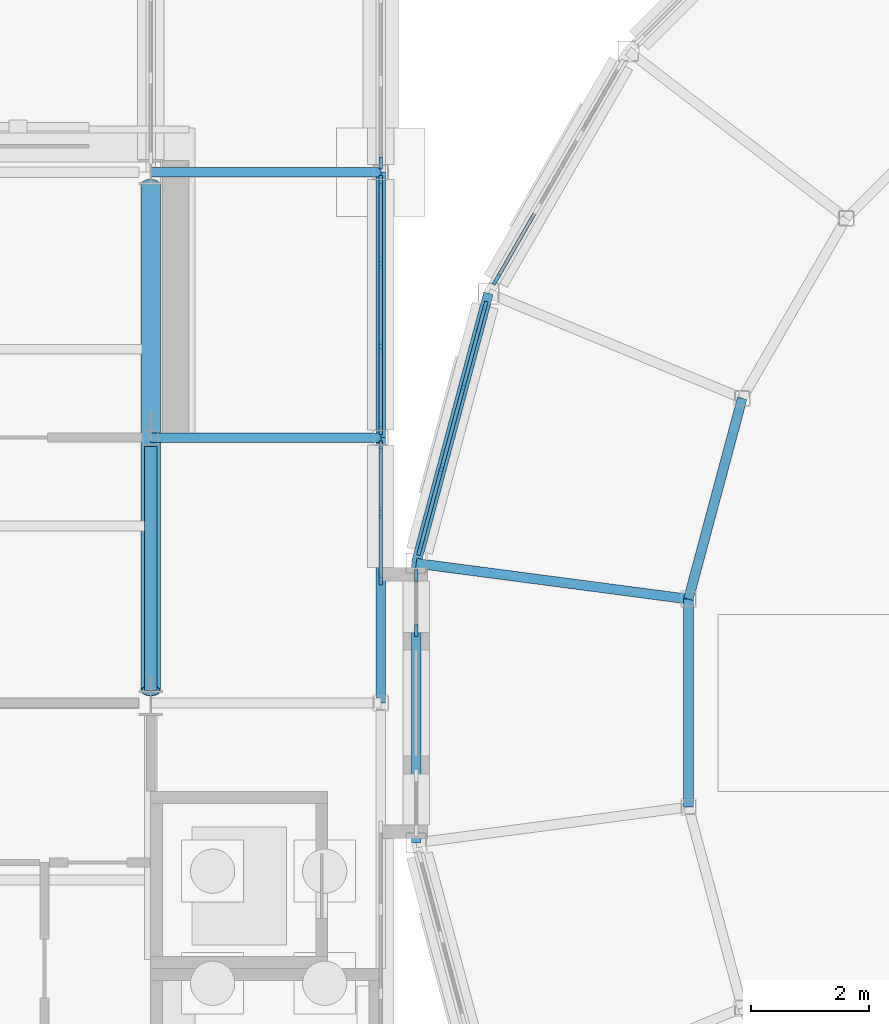
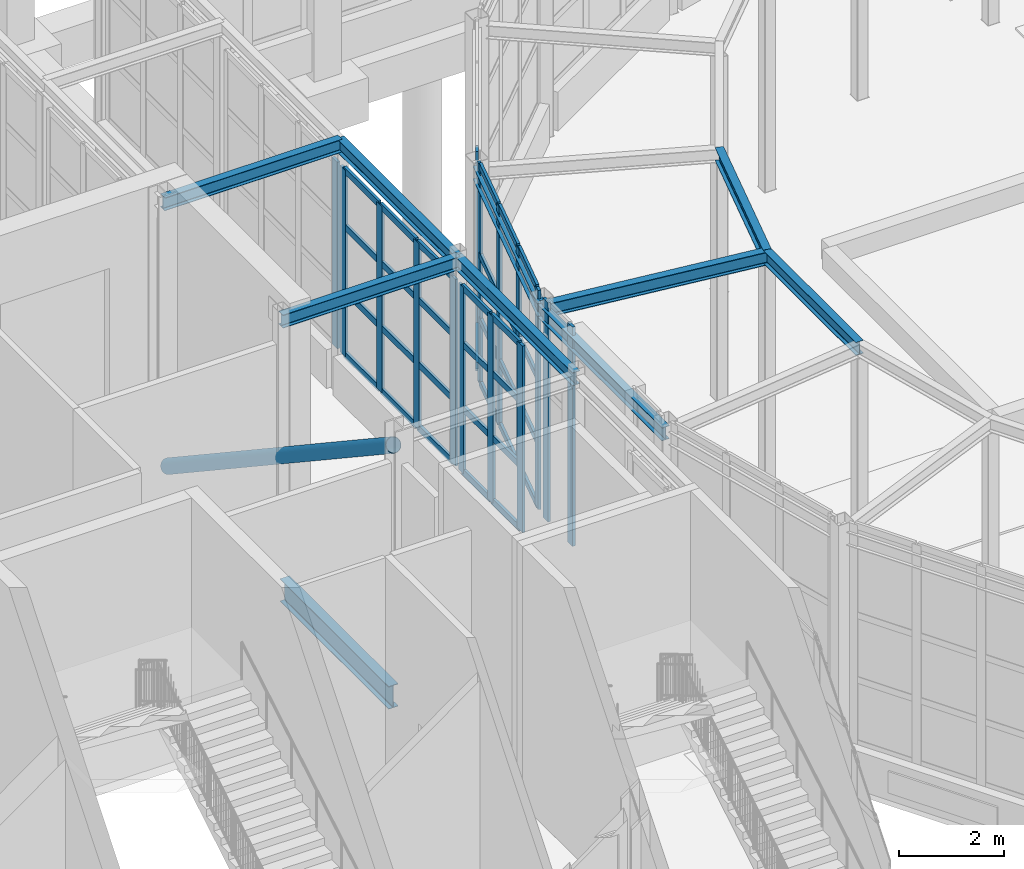
# One storey, part 30 of 106: 49 members, 10 beams, 6 elements without a shape of their own.
"""IFC4 building model written with IfcOpenShell, lengths in metres."""

from ifc_helpers import new_model, si_unit, direction, frame, origin, origin_2d, place, context, subcontext, project, spatial, rectangle, hollow_circle, i_section, extrude, material, layer, layer_set, material_profile, profile_set, type_object, element, aggregate, save


model = new_model("IFC4")

# Units and contexts
model_context = context("Model", 3, precision=1e-05, world=origin(), true_north=direction((0.0, 1.0)))
body_context = subcontext(model_context, "Body", "Model", "MODEL_VIEW")
ifc_project = project(units=[si_unit("LENGTHUNIT", "METRE"), si_unit("AREAUNIT", "SQUARE_METRE"), si_unit("VOLUMEUNIT", "CUBIC_METRE"), si_unit("PLANEANGLEUNIT", "RADIAN"), si_unit("MASSUNIT", "GRAM", prefix="KILO")], contexts=[model_context])

# Site, building, storey
site_placement = place(None, origin())
site = spatial("IfcSite", under=ifc_project, at=site_placement, CompositionType="ELEMENT")
building_placement = place(site_placement, origin())
building = spatial("IfcBuilding", under=site, at=building_placement, Name="Hortulan Conservatory and Botanical Research Centre", CompositionType="ELEMENT")
storey_placement = place(building_placement, origin())
storey = spatial("IfcBuildingStorey", under=building, at=storey_placement, Name="L00", CompositionType="ELEMENT", Elevation=0.0)

# Member
ifc_material_1 = material(Name="Steel Grade C350L0 (350 MPa, AS/NZS 1163)", Category="steel")
ifc_material_profile_1 = material_profile(ifc_material_1, hollow_circle(Radius=0.161865234375, WallThickness=0.009521484375, at=origin_2d()), Name="323.9x9.5CHS")
ifc_profile_set_1 = profile_set([ifc_material_profile_1], Name="Steel Grade C350L0 (350 MPa, AS/NZS 1163)")
member_type_1 = type_object("IfcMemberType", Name="Brace 323.9x9.5CHS", PredefinedType="BRACE", material=ifc_profile_set_1)
member_1_placement = place(storey_placement, frame((31.5, 26.7890625, -0.309814453125), z_axis=(0.0, -0.833055664208, 0.553189172282), x_axis=(1.0, 0.0, 0.0)))
element("IfcMember", 1, at=member_1_placement, inside=storey, type_object=member_type_1, Name="323.9x9.5CHS brace", PredefinedType="BRACE", context=body_context, shape_type="SweptSolid", body=[
    extrude(hollow_circle(Radius=0.161865234375, WallThickness=0.009521484375, at=origin_2d()), origin(), (0.0, 0.0, 1.0), 10.297119140625),
])

# Curtain wall, member
ifc_material_2 = material(Name="Bronze-finished aluminium", Category="aluminium")
ifc_layer = layer(ifc_material_2, 0.10009765625)
ifc_layer_set = layer_set([ifc_layer], Name="Bronze-framed Curtain Wall 1500 module")
curtain_wall_type = type_object("IfcCurtainWallType", Name="Bronze-framed Curtain Wall 1500 module", PredefinedType="NOTDEFINED", material=ifc_layer_set)
curtain_wall_1_placement = place(storey_placement, origin())
curtain_wall_1 = element("IfcCurtainWall", 2, at=curtain_wall_1_placement, inside=storey, type_object=curtain_wall_type, Name="Curtain wall", PredefinedType="NOTDEFINED")
ifc_material_profile_2 = material_profile(ifc_material_2, rectangle(XDim=0.06005859375, YDim=0.199951171875, at=origin_2d()), Name="Bronze Mullion 60x200")
ifc_profile_set_2 = profile_set([ifc_material_profile_2], Name="Bronze-finished aluminium")
member_type_2 = type_object("IfcMemberType", Name="Bronze Mullion 60x200", PredefinedType="MULLION", material=ifc_profile_set_2)
member_2_placement = place(storey_placement, frame((37.361328125, 25.18115234375, 0.89990234375), z_axis=(0.0, 0.0, 1.0), x_axis=(-0.866036280655, 0.499981160235, 0.0)))
member_2 = element("IfcMember", 3, at=member_2_placement, type_object=member_type_2, Name="CW1 mullion 1", PredefinedType="MULLION", context=body_context, shape_type="SweptSolid", body=[
    extrude(rectangle(XDim=0.06005859375, YDim=0.199951171875, at=origin_2d()), origin(), (0.0, 0.0, 1.0), 5.10009765625),
])

# Curtain wall, members
curtain_wall_2_placement = place(storey_placement, origin())
curtain_wall_2 = element("IfcCurtainWall", 4, at=curtain_wall_2_placement, inside=storey, type_object=curtain_wall_type, Name="Curtain wall", PredefinedType="NOTDEFINED")
member_3_placement = place(storey_placement, frame((36.063232421875, 20.60595703125, 0.89990234375), z_axis=(0.0, 0.0, 1.0), x_axis=(-0.965922372015, 0.258831936284, 0.0)))
member_3 = element("IfcMember", 5, at=member_3_placement, type_object=member_type_2, Name="CW1 mullion 1", PredefinedType="MULLION", context=body_context, shape_type="SweptSolid", body=[
    extrude(rectangle(XDim=0.06005859375, YDim=0.199951171875, at=origin_2d()), origin(), (0.0, 0.0, 1.0), 5.10009765625),
])
member_4_placement = place(storey_placement, frame((36.427490234375, 21.965087890625, 0.89990234375), z_axis=(0.0, 0.0, 1.0), x_axis=(-0.965922372015, 0.258831936284, 0.0)))
member_4 = element("IfcMember", 6, at=member_4_placement, type_object=member_type_2, Name="CW1 mullion 2", PredefinedType="MULLION", context=body_context, shape_type="SweptSolid", body=[
    extrude(rectangle(XDim=0.06005859375, YDim=0.199951171875, at=origin_2d()), origin(), (0.0, 0.0, 1.0), 5.10009765625),
])
member_5_placement = place(storey_placement, frame((36.79931640625, 23.35302734375, 0.89990234375), z_axis=(0.0, 0.0, 1.0), x_axis=(-0.965922372015, 0.258831936284, 0.0)))
member_5 = element("IfcMember", 7, at=member_5_placement, type_object=member_type_2, Name="CW1 mullion 3", PredefinedType="MULLION", context=body_context, shape_type="SweptSolid", body=[
    extrude(rectangle(XDim=0.06005859375, YDim=0.199951171875, at=origin_2d()), origin(), (0.0, 0.0, 1.0), 5.10009765625),
])
member_6_placement = place(storey_placement, frame((37.16357421875, 24.7119140625, 0.89990234375), z_axis=(0.0, 0.0, 1.0), x_axis=(-0.965922372015, 0.258831936284, 0.0)))
member_6 = element("IfcMember", 8, at=member_6_placement, type_object=member_type_2, Name="CW1 mullion 4", PredefinedType="MULLION", context=body_context, shape_type="SweptSolid", body=[
    extrude(rectangle(XDim=0.06005859375, YDim=0.199951171875, at=origin_2d()), origin(), (0.0, 0.0, 1.0), 5.10009765625),
])

curtain_wall_3_placement = place(storey_placement, origin())
curtain_wall_3 = element("IfcCurtainWall", 9, at=curtain_wall_3_placement, inside=storey, type_object=curtain_wall_type, Name="Curtain wall", PredefinedType="NOTDEFINED")
member_7_placement = place(storey_placement, frame((36.0, 19.22998046875, 0.89990234375), z_axis=(0.0, 0.0, 1.0), x_axis=(-1.0, 0.0, 0.0)))
member_7 = element("IfcMember", 10, at=member_7_placement, type_object=member_type_2, Name="CW1 mullion 1", PredefinedType="MULLION", context=body_context, shape_type="SweptSolid", body=[
    extrude(rectangle(XDim=0.06005859375, YDim=0.199951171875, at=origin_2d()), origin(), (0.0, 0.0, 1.0), 5.10009765625),
])
member_8_placement = place(storey_placement, frame((36.0, 20.1650390625, 0.89990234375), z_axis=(0.0, 0.0, 1.0), x_axis=(-1.0, 0.0, 0.0)))
member_8 = element("IfcMember", 11, at=member_8_placement, type_object=member_type_2, Name="CW1 mullion 2", PredefinedType="MULLION", context=body_context, shape_type="SweptSolid", body=[
    extrude(rectangle(XDim=0.06005859375, YDim=0.199951171875, at=origin_2d()), origin(), (0.0, 0.0, 1.0), 5.10009765625),
])
aggregate(curtain_wall_3, [member_7, member_8])

# Curtain wall, member
curtain_wall_4_placement = place(storey_placement, origin())
curtain_wall_4 = element("IfcCurtainWall", 12, at=curtain_wall_4_placement, inside=storey, type_object=curtain_wall_type, Name="Curtain wall", PredefinedType="NOTDEFINED")
member_9_placement = place(storey_placement, frame((35.39990234375, 27.155029296875, 0.89990234375), z_axis=(0.0, 0.0, 1.0), x_axis=(1.0, 0.0, 0.0)))
member_9 = element("IfcMember", 13, at=member_9_placement, type_object=member_type_2, Name="CW1 mullion 4", PredefinedType="MULLION", context=body_context, shape_type="SweptSolid", body=[
    extrude(rectangle(XDim=0.06005859375, YDim=0.199951171875, at=origin_2d()), origin(), (0.0, 0.0, 1.0), 4.340087890625),
])
aggregate(curtain_wall_4, [member_9])

# Curtain wall, members
curtain_wall_5_placement = place(storey_placement, origin())
curtain_wall_5 = element("IfcCurtainWall", 14, at=curtain_wall_5_placement, inside=storey, type_object=curtain_wall_type, Name="Curtain wall", PredefinedType="NOTDEFINED")
member_10_placement = place(storey_placement, frame((35.39990234375, 26.844970703125, 0.89990234375), z_axis=(0.0, 0.0, 1.0), x_axis=(1.0, 0.0, 0.0)))
member_10 = element("IfcMember", 15, at=member_10_placement, type_object=member_type_2, Name="CW1 mullion 1", PredefinedType="MULLION", context=body_context, shape_type="SweptSolid", body=[
    extrude(rectangle(XDim=0.06005859375, YDim=0.199951171875, at=origin_2d()), origin(), (0.0, 0.0, 1.0), 4.340087890625),
])
member_11_placement = place(storey_placement, frame((35.39990234375, 25.458251953125, 0.89990234375), z_axis=(0.0, 0.0, 1.0), x_axis=(1.0, 0.0, 0.0)))
member_11 = element("IfcMember", 16, at=member_11_placement, type_object=member_type_2, Name="CW1 mullion 2", PredefinedType="MULLION", context=body_context, shape_type="SweptSolid", body=[
    extrude(rectangle(XDim=0.06005859375, YDim=0.199951171875, at=origin_2d()), origin(), (0.0, 0.0, 1.0), 4.340087890625),
])
member_12_placement = place(storey_placement, frame((35.39990234375, 24.041748046875, 0.89990234375), z_axis=(0.0, 0.0, 1.0), x_axis=(1.0, 0.0, 0.0)))
member_12 = element("IfcMember", 17, at=member_12_placement, type_object=member_type_2, Name="CW1 mullion 3", PredefinedType="MULLION", context=body_context, shape_type="SweptSolid", body=[
    extrude(rectangle(XDim=0.06005859375, YDim=0.199951171875, at=origin_2d()), origin(), (0.0, 0.0, 1.0), 4.340087890625),
])
member_13_placement = place(storey_placement, frame((35.39990234375, 22.655029296875, 0.89990234375), z_axis=(0.0, 0.0, 1.0), x_axis=(1.0, 0.0, 0.0)))
member_13 = element("IfcMember", 18, at=member_13_placement, type_object=member_type_2, Name="CW1 mullion 4", PredefinedType="MULLION", context=body_context, shape_type="SweptSolid", body=[
    extrude(rectangle(XDim=0.06005859375, YDim=0.199951171875, at=origin_2d()), origin(), (0.0, 0.0, 1.0), 4.340087890625),
])

curtain_wall_6_placement = place(storey_placement, origin())
curtain_wall_6 = element("IfcCurtainWall", 19, at=curtain_wall_6_placement, inside=storey, type_object=curtain_wall_type, Name="Curtain wall", PredefinedType="NOTDEFINED")
member_14_placement = place(storey_placement, frame((35.39990234375, 22.344970703125, 0.89990234375), z_axis=(0.0, 0.0, 1.0), x_axis=(1.0, 0.0, 0.0)))
member_14 = element("IfcMember", 20, at=member_14_placement, type_object=member_type_2, Name="CW1 mullion 1", PredefinedType="MULLION", context=body_context, shape_type="SweptSolid", body=[
    extrude(rectangle(XDim=0.06005859375, YDim=0.199951171875, at=origin_2d()), origin(), (0.0, 0.0, 1.0), 4.340087890625),
])
member_15_placement = place(storey_placement, frame((35.39990234375, 21.222412109375, 0.89990234375), z_axis=(0.0, 0.0, 1.0), x_axis=(1.0, 0.0, 0.0)))
member_15 = element("IfcMember", 21, at=member_15_placement, type_object=member_type_2, Name="CW1 mullion 2", PredefinedType="MULLION", context=body_context, shape_type="SweptSolid", body=[
    extrude(rectangle(XDim=0.06005859375, YDim=0.199951171875, at=origin_2d()), origin(), (0.0, 0.0, 1.0), 4.340087890625),
])
member_16_placement = place(storey_placement, frame((35.39990234375, 20.099609375, 0.89990234375), z_axis=(0.0, 0.0, 1.0), x_axis=(1.0, 0.0, 0.0)))
member_16 = element("IfcMember", 22, at=member_16_placement, type_object=member_type_2, Name="CW1 mullion 3", PredefinedType="MULLION", context=body_context, shape_type="SweptSolid", body=[
    extrude(rectangle(XDim=0.06005859375, YDim=0.199951171875, at=origin_2d()), origin(), (0.0, 0.0, 1.0), 4.340087890625),
])

# Member
ifc_material_profile_3 = material_profile(ifc_material_2, rectangle(XDim=0.06005859375, YDim=0.14990234375, at=origin_2d()), Name="Bronze Transom 60x150")
ifc_profile_set_3 = profile_set([ifc_material_profile_3], Name="Bronze-finished aluminium")
member_type_3 = type_object("IfcMemberType", Name="Bronze Transom 60x150", PredefinedType="USERDEFINED", material=ifc_profile_set_3)
member_17_placement = place(storey_placement, frame((37.37646484375, 25.20703125, 0.929931640625), z_axis=(0.499928984136, 0.866066400931, 0.0), x_axis=(-0.866066400931, 0.499928984136, 0.0)))
member_17 = element("IfcMember", 23, at=member_17_placement, type_object=member_type_3, Name="CW1 transom 1.1", ObjectType="TRANSOM", PredefinedType="USERDEFINED", context=body_context, shape_type="SweptSolid", body=[
    extrude(rectangle(XDim=0.06005859375, YDim=0.14990234375, at=origin_2d()), origin(), (0.0, 0.0, 1.0), 1.330322265625),
])

aggregate(curtain_wall_1, [member_2, member_17])

member_18_placement = place(storey_placement, frame((36.071044921875, 20.635009765625, 0.929931640625), z_axis=(0.258835745824, 0.965921351189, 0.0), x_axis=(-0.965921351189, 0.258835745824, 0.0)))
member_18 = element("IfcMember", 24, at=member_18_placement, type_object=member_type_3, Name="CW1 transom 1.1", ObjectType="TRANSOM", PredefinedType="USERDEFINED", context=body_context, shape_type="SweptSolid", body=[
    extrude(rectangle(XDim=0.06005859375, YDim=0.14990234375, at=origin_2d()), origin(), (0.0, 0.0, 1.0), 1.346923828125),
])

member_19_placement = place(storey_placement, frame((36.071044921875, 20.635009765625, 2.39990234375), z_axis=(0.258835745824, 0.965921351189, 0.0), x_axis=(-0.965921351189, 0.258835745824, 0.0)))
member_19 = element("IfcMember", 25, at=member_19_placement, type_object=member_type_3, Name="CW1 transom 1.2", ObjectType="TRANSOM", PredefinedType="USERDEFINED", context=body_context, shape_type="SweptSolid", body=[
    extrude(rectangle(XDim=0.06005859375, YDim=0.14990234375, at=origin_2d()), origin(), (0.0, 0.0, 1.0), 1.346923828125),
])

member_20_placement = place(storey_placement, frame((36.071044921875, 20.635009765625, 3.89990234375), z_axis=(0.258835745824, 0.965921351189, 0.0), x_axis=(-0.965921351189, 0.258835745824, 0.0)))
member_20 = element("IfcMember", 26, at=member_20_placement, type_object=member_type_3, Name="CW1 transom 1.3", ObjectType="TRANSOM", PredefinedType="USERDEFINED", context=body_context, shape_type="SweptSolid", body=[
    extrude(rectangle(XDim=0.06005859375, YDim=0.14990234375, at=origin_2d()), origin(), (0.0, 0.0, 1.0), 1.346923828125),
])

member_21_placement = place(storey_placement, frame((36.071044921875, 20.635009765625, 5.969970703125), z_axis=(0.258835745824, 0.965921351189, 0.0), x_axis=(-0.965921351189, 0.258835745824, 0.0)))
member_21 = element("IfcMember", 27, at=member_21_placement, type_object=member_type_3, Name="CW1 transom 1.4", ObjectType="TRANSOM", PredefinedType="USERDEFINED", context=body_context, shape_type="SweptSolid", body=[
    extrude(rectangle(XDim=0.06005859375, YDim=0.14990234375, at=origin_2d()), origin(), (0.0, 0.0, 1.0), 1.346923828125),
])

member_22_placement = place(storey_placement, frame((36.435302734375, 21.993896484375, 0.929931640625), z_axis=(0.258688817498, 0.965960711262, 0.0), x_axis=(-0.965960711262, 0.258688817498, 0.0)))
member_22 = element("IfcMember", 28, at=member_22_placement, type_object=member_type_3, Name="CW1 transom 2.1", ObjectType="TRANSOM", PredefinedType="USERDEFINED", context=body_context, shape_type="SweptSolid", body=[
    extrude(rectangle(XDim=0.06005859375, YDim=0.14990234375, at=origin_2d()), origin(), (0.0, 0.0, 1.0), 1.376953125),
])

member_23_placement = place(storey_placement, frame((36.435302734375, 21.993896484375, 2.39990234375), z_axis=(0.258688817498, 0.965960711262, 0.0), x_axis=(-0.965960711262, 0.258688817498, 0.0)))
member_23 = element("IfcMember", 29, at=member_23_placement, type_object=member_type_3, Name="CW1 transom 2.2", ObjectType="TRANSOM", PredefinedType="USERDEFINED", context=body_context, shape_type="SweptSolid", body=[
    extrude(rectangle(XDim=0.06005859375, YDim=0.14990234375, at=origin_2d()), origin(), (0.0, 0.0, 1.0), 1.376953125),
])

member_24_placement = place(storey_placement, frame((36.435302734375, 21.993896484375, 3.89990234375), z_axis=(0.258688817498, 0.965960711262, 0.0), x_axis=(-0.965960711262, 0.258688817498, 0.0)))
member_24 = element("IfcMember", 30, at=member_24_placement, type_object=member_type_3, Name="CW1 transom 2.3", ObjectType="TRANSOM", PredefinedType="USERDEFINED", context=body_context, shape_type="SweptSolid", body=[
    extrude(rectangle(XDim=0.06005859375, YDim=0.14990234375, at=origin_2d()), origin(), (0.0, 0.0, 1.0), 1.376953125),
])

member_25_placement = place(storey_placement, frame((36.435302734375, 21.993896484375, 5.969970703125), z_axis=(0.258688817498, 0.965960711262, 0.0), x_axis=(-0.965960711262, 0.258688817498, 0.0)))
member_25 = element("IfcMember", 31, at=member_25_placement, type_object=member_type_3, Name="CW1 transom 2.4", ObjectType="TRANSOM", PredefinedType="USERDEFINED", context=body_context, shape_type="SweptSolid", body=[
    extrude(rectangle(XDim=0.06005859375, YDim=0.14990234375, at=origin_2d()), origin(), (0.0, 0.0, 1.0), 1.376953125),
])

member_26_placement = place(storey_placement, frame((36.80712890625, 23.382080078125, 0.929931640625), z_axis=(0.258835745824, 0.965921351189, 0.0), x_axis=(-0.965921351189, 0.258835745824, 0.0)))
member_26 = element("IfcMember", 32, at=member_26_placement, type_object=member_type_3, Name="CW1 transom 3.1", ObjectType="TRANSOM", PredefinedType="USERDEFINED", context=body_context, shape_type="SweptSolid", body=[
    extrude(rectangle(XDim=0.06005859375, YDim=0.14990234375, at=origin_2d()), origin(), (0.0, 0.0, 1.0), 1.346923828125),
])

member_27_placement = place(storey_placement, frame((36.80712890625, 23.382080078125, 2.39990234375), z_axis=(0.258835745824, 0.965921351189, 0.0), x_axis=(-0.965921351189, 0.258835745824, 0.0)))
member_27 = element("IfcMember", 33, at=member_27_placement, type_object=member_type_3, Name="CW1 transom 3.2", ObjectType="TRANSOM", PredefinedType="USERDEFINED", context=body_context, shape_type="SweptSolid", body=[
    extrude(rectangle(XDim=0.06005859375, YDim=0.14990234375, at=origin_2d()), origin(), (0.0, 0.0, 1.0), 1.346923828125),
])

member_28_placement = place(storey_placement, frame((36.80712890625, 23.382080078125, 3.89990234375), z_axis=(0.258835745824, 0.965921351189, 0.0), x_axis=(-0.965921351189, 0.258835745824, 0.0)))
member_28 = element("IfcMember", 34, at=member_28_placement, type_object=member_type_3, Name="CW1 transom 3.3", ObjectType="TRANSOM", PredefinedType="USERDEFINED", context=body_context, shape_type="SweptSolid", body=[
    extrude(rectangle(XDim=0.06005859375, YDim=0.14990234375, at=origin_2d()), origin(), (0.0, 0.0, 1.0), 1.346923828125),
])

member_29_placement = place(storey_placement, frame((36.80712890625, 23.382080078125, 5.969970703125), z_axis=(0.258835745824, 0.965921351189, 0.0), x_axis=(-0.965921351189, 0.258835745824, 0.0)))
member_29 = element("IfcMember", 35, at=member_29_placement, type_object=member_type_3, Name="CW1 transom 3.4", ObjectType="TRANSOM", PredefinedType="USERDEFINED", context=body_context, shape_type="SweptSolid", body=[
    extrude(rectangle(XDim=0.06005859375, YDim=0.14990234375, at=origin_2d()), origin(), (0.0, 0.0, 1.0), 1.346923828125),
])

aggregate(curtain_wall_2, [member_3, member_4, member_5, member_6, member_18, member_19, member_20, member_21, member_22, member_23, member_24, member_25, member_26, member_27, member_28, member_29])

member_30_placement = place(storey_placement, frame((35.39990234375, 26.81494140625, 0.929931640625), z_axis=(0.0, -1.0, 0.0), x_axis=(1.0, 0.0, 0.0)))
member_30 = element("IfcMember", 36, at=member_30_placement, type_object=member_type_3, Name="CW1 transom 1.1", ObjectType="TRANSOM", PredefinedType="USERDEFINED", context=body_context, shape_type="SweptSolid", body=[
    extrude(rectangle(XDim=0.06005859375, YDim=0.14990234375, at=origin_2d()), origin(), (0.0, 0.0, 1.0), 1.32666015625),
])

member_31_placement = place(storey_placement, frame((35.39990234375, 26.81494140625, 2.39990234375), z_axis=(0.0, -1.0, 0.0), x_axis=(1.0, 0.0, 0.0)))
member_31 = element("IfcMember", 37, at=member_31_placement, type_object=member_type_3, Name="CW1 transom 1.2", ObjectType="TRANSOM", PredefinedType="USERDEFINED", context=body_context, shape_type="SweptSolid", body=[
    extrude(rectangle(XDim=0.06005859375, YDim=0.14990234375, at=origin_2d()), origin(), (0.0, 0.0, 1.0), 1.32666015625),
])

member_32_placement = place(storey_placement, frame((35.39990234375, 26.81494140625, 3.89990234375), z_axis=(0.0, -1.0, 0.0), x_axis=(1.0, 0.0, 0.0)))
member_32 = element("IfcMember", 38, at=member_32_placement, type_object=member_type_3, Name="CW1 transom 1.3", ObjectType="TRANSOM", PredefinedType="USERDEFINED", context=body_context, shape_type="SweptSolid", body=[
    extrude(rectangle(XDim=0.06005859375, YDim=0.14990234375, at=origin_2d()), origin(), (0.0, 0.0, 1.0), 1.32666015625),
])

member_33_placement = place(storey_placement, frame((35.39990234375, 26.81494140625, 5.2099609375), z_axis=(0.0, -1.0, 0.0), x_axis=(1.0, 0.0, 0.0)))
member_33 = element("IfcMember", 39, at=member_33_placement, type_object=member_type_3, Name="CW1 transom 1.4", ObjectType="TRANSOM", PredefinedType="USERDEFINED", context=body_context, shape_type="SweptSolid", body=[
    extrude(rectangle(XDim=0.06005859375, YDim=0.14990234375, at=origin_2d()), origin(), (0.0, 0.0, 1.0), 1.32666015625),
])

member_34_placement = place(storey_placement, frame((35.39990234375, 25.42822265625, 0.929931640625), z_axis=(0.0, -1.0, 0.0), x_axis=(1.0, 0.0, 0.0)))
member_34 = element("IfcMember", 40, at=member_34_placement, type_object=member_type_3, Name="CW1 transom 2.1", ObjectType="TRANSOM", PredefinedType="USERDEFINED", context=body_context, shape_type="SweptSolid", body=[
    extrude(rectangle(XDim=0.06005859375, YDim=0.14990234375, at=origin_2d()), origin(), (0.0, 0.0, 1.0), 1.3564453125),
])

member_35_placement = place(storey_placement, frame((35.39990234375, 25.42822265625, 2.39990234375), z_axis=(0.0, -1.0, 0.0), x_axis=(1.0, 0.0, 0.0)))
member_35 = element("IfcMember", 41, at=member_35_placement, type_object=member_type_3, Name="CW1 transom 2.2", ObjectType="TRANSOM", PredefinedType="USERDEFINED", context=body_context, shape_type="SweptSolid", body=[
    extrude(rectangle(XDim=0.06005859375, YDim=0.14990234375, at=origin_2d()), origin(), (0.0, 0.0, 1.0), 1.3564453125),
])

member_36_placement = place(storey_placement, frame((35.39990234375, 25.42822265625, 3.89990234375), z_axis=(0.0, -1.0, 0.0), x_axis=(1.0, 0.0, 0.0)))
member_36 = element("IfcMember", 42, at=member_36_placement, type_object=member_type_3, Name="CW1 transom 2.3", ObjectType="TRANSOM", PredefinedType="USERDEFINED", context=body_context, shape_type="SweptSolid", body=[
    extrude(rectangle(XDim=0.06005859375, YDim=0.14990234375, at=origin_2d()), origin(), (0.0, 0.0, 1.0), 1.3564453125),
])

member_37_placement = place(storey_placement, frame((35.39990234375, 25.42822265625, 5.2099609375), z_axis=(0.0, -1.0, 0.0), x_axis=(1.0, 0.0, 0.0)))
member_37 = element("IfcMember", 43, at=member_37_placement, type_object=member_type_3, Name="CW1 transom 2.4", ObjectType="TRANSOM", PredefinedType="USERDEFINED", context=body_context, shape_type="SweptSolid", body=[
    extrude(rectangle(XDim=0.06005859375, YDim=0.14990234375, at=origin_2d()), origin(), (0.0, 0.0, 1.0), 1.3564453125),
])

member_38_placement = place(storey_placement, frame((35.39990234375, 24.01171875, 0.929931640625), z_axis=(0.0, -1.0, 0.0), x_axis=(1.0, 0.0, 0.0)))
member_38 = element("IfcMember", 44, at=member_38_placement, type_object=member_type_3, Name="CW1 transom 3.1", ObjectType="TRANSOM", PredefinedType="USERDEFINED", context=body_context, shape_type="SweptSolid", body=[
    extrude(rectangle(XDim=0.06005859375, YDim=0.14990234375, at=origin_2d()), origin(), (0.0, 0.0, 1.0), 1.32666015625),
])

member_39_placement = place(storey_placement, frame((35.39990234375, 24.01171875, 2.39990234375), z_axis=(0.0, -1.0, 0.0), x_axis=(1.0, 0.0, 0.0)))
member_39 = element("IfcMember", 45, at=member_39_placement, type_object=member_type_3, Name="CW1 transom 3.2", ObjectType="TRANSOM", PredefinedType="USERDEFINED", context=body_context, shape_type="SweptSolid", body=[
    extrude(rectangle(XDim=0.06005859375, YDim=0.14990234375, at=origin_2d()), origin(), (0.0, 0.0, 1.0), 1.32666015625),
])

member_40_placement = place(storey_placement, frame((35.39990234375, 24.01171875, 3.89990234375), z_axis=(0.0, -1.0, 0.0), x_axis=(1.0, 0.0, 0.0)))
member_40 = element("IfcMember", 46, at=member_40_placement, type_object=member_type_3, Name="CW1 transom 3.3", ObjectType="TRANSOM", PredefinedType="USERDEFINED", context=body_context, shape_type="SweptSolid", body=[
    extrude(rectangle(XDim=0.06005859375, YDim=0.14990234375, at=origin_2d()), origin(), (0.0, 0.0, 1.0), 1.32666015625),
])

member_41_placement = place(storey_placement, frame((35.39990234375, 24.01171875, 5.2099609375), z_axis=(0.0, -1.0, 0.0), x_axis=(1.0, 0.0, 0.0)))
member_41 = element("IfcMember", 47, at=member_41_placement, type_object=member_type_3, Name="CW1 transom 3.4", ObjectType="TRANSOM", PredefinedType="USERDEFINED", context=body_context, shape_type="SweptSolid", body=[
    extrude(rectangle(XDim=0.06005859375, YDim=0.14990234375, at=origin_2d()), origin(), (0.0, 0.0, 1.0), 1.32666015625),
])

aggregate(curtain_wall_5, [member_10, member_11, member_12, member_13, member_30, member_31, member_32, member_33, member_34, member_35, member_36, member_37, member_38, member_39, member_40, member_41])

member_42_placement = place(storey_placement, frame((35.39990234375, 22.31494140625, 0.929931640625), z_axis=(0.0, -1.0, 0.0), x_axis=(1.0, 0.0, 0.0)))
member_42 = element("IfcMember", 48, at=member_42_placement, type_object=member_type_3, Name="CW1 transom 1.1", ObjectType="TRANSOM", PredefinedType="USERDEFINED", context=body_context, shape_type="SweptSolid", body=[
    extrude(rectangle(XDim=0.06005859375, YDim=0.14990234375, at=origin_2d()), origin(), (0.0, 0.0, 1.0), 1.0625),
])

member_43_placement = place(storey_placement, frame((35.39990234375, 22.31494140625, 2.39990234375), z_axis=(0.0, -1.0, 0.0), x_axis=(1.0, 0.0, 0.0)))
member_43 = element("IfcMember", 49, at=member_43_placement, type_object=member_type_3, Name="CW1 transom 1.2", ObjectType="TRANSOM", PredefinedType="USERDEFINED", context=body_context, shape_type="SweptSolid", body=[
    extrude(rectangle(XDim=0.06005859375, YDim=0.14990234375, at=origin_2d()), origin(), (0.0, 0.0, 1.0), 1.0625),
])

member_44_placement = place(storey_placement, frame((35.39990234375, 22.31494140625, 3.89990234375), z_axis=(0.0, -1.0, 0.0), x_axis=(1.0, 0.0, 0.0)))
member_44 = element("IfcMember", 50, at=member_44_placement, type_object=member_type_3, Name="CW1 transom 1.3", ObjectType="TRANSOM", PredefinedType="USERDEFINED", context=body_context, shape_type="SweptSolid", body=[
    extrude(rectangle(XDim=0.06005859375, YDim=0.14990234375, at=origin_2d()), origin(), (0.0, 0.0, 1.0), 1.0625),
])

member_45_placement = place(storey_placement, frame((35.39990234375, 22.31494140625, 5.2099609375), z_axis=(0.0, -1.0, 0.0), x_axis=(1.0, 0.0, 0.0)))
member_45 = element("IfcMember", 51, at=member_45_placement, type_object=member_type_3, Name="CW1 transom 1.4", ObjectType="TRANSOM", PredefinedType="USERDEFINED", context=body_context, shape_type="SweptSolid", body=[
    extrude(rectangle(XDim=0.06005859375, YDim=0.14990234375, at=origin_2d()), origin(), (0.0, 0.0, 1.0), 1.0625),
])

member_46_placement = place(storey_placement, frame((35.39990234375, 21.1923828125, 0.929931640625), z_axis=(0.0, -1.0, 0.0), x_axis=(1.0, 0.0, 0.0)))
member_46 = element("IfcMember", 52, at=member_46_placement, type_object=member_type_3, Name="CW1 transom 2.1", ObjectType="TRANSOM", PredefinedType="USERDEFINED", context=body_context, shape_type="SweptSolid", body=[
    extrude(rectangle(XDim=0.06005859375, YDim=0.14990234375, at=origin_2d()), origin(), (0.0, 0.0, 1.0), 1.062744140625),
])

member_47_placement = place(storey_placement, frame((35.39990234375, 21.1923828125, 2.39990234375), z_axis=(0.0, -1.0, 0.0), x_axis=(1.0, 0.0, 0.0)))
member_47 = element("IfcMember", 53, at=member_47_placement, type_object=member_type_3, Name="CW1 transom 2.2", ObjectType="TRANSOM", PredefinedType="USERDEFINED", context=body_context, shape_type="SweptSolid", body=[
    extrude(rectangle(XDim=0.06005859375, YDim=0.14990234375, at=origin_2d()), origin(), (0.0, 0.0, 1.0), 1.062744140625),
])

member_48_placement = place(storey_placement, frame((35.39990234375, 21.1923828125, 3.89990234375), z_axis=(0.0, -1.0, 0.0), x_axis=(1.0, 0.0, 0.0)))
member_48 = element("IfcMember", 54, at=member_48_placement, type_object=member_type_3, Name="CW1 transom 2.3", ObjectType="TRANSOM", PredefinedType="USERDEFINED", context=body_context, shape_type="SweptSolid", body=[
    extrude(rectangle(XDim=0.06005859375, YDim=0.14990234375, at=origin_2d()), origin(), (0.0, 0.0, 1.0), 1.062744140625),
])

member_49_placement = place(storey_placement, frame((35.39990234375, 21.1923828125, 5.2099609375), z_axis=(0.0, -1.0, 0.0), x_axis=(1.0, 0.0, 0.0)))
member_49 = element("IfcMember", 55, at=member_49_placement, type_object=member_type_3, Name="CW1 transom 2.4", ObjectType="TRANSOM", PredefinedType="USERDEFINED", context=body_context, shape_type="SweptSolid", body=[
    extrude(rectangle(XDim=0.06005859375, YDim=0.14990234375, at=origin_2d()), origin(), (0.0, 0.0, 1.0), 1.062744140625),
])

aggregate(curtain_wall_6, [member_14, member_15, member_16, member_42, member_43, member_44, member_45, member_46, member_47, member_48, member_49])

# Beams
ifc_material_3 = material(Name="Steel Grade 300PLUS (AS/NZS 3679.1, 280 MPa minimum yield)", Category="steel")
ifc_material_profile_4 = material_profile(ifc_material_3, i_section(OverallWidth=0.166015625, OverallDepth=0.306884765625, WebThickness=0.006591796875, FlangeThickness=0.01171875, FilletRadius=0.011474609375, at=origin_2d()), Name="310UB46.2")
ifc_profile_set_4 = profile_set([ifc_material_profile_4], Name="Steel Grade 300PLUS (AS/NZS 3679.1, 280 MPa minimum yield)")
beam_type_1 = type_object("IfcBeamType", Name="Dome Canopy Walk Beam 310UB46.2", PredefinedType="BEAM", material=ifc_profile_set_4)
beam_1_placement = place(storey_placement, frame((40.615478515625, 19.76220703125, 5.646484375), z_axis=(-0.991450903672, 0.130480288196, 0.0), x_axis=(-0.130480288196, -0.991450903672, 0.0)))
element("IfcBeam", 56, at=beam_1_placement, inside=storey, type_object=beam_type_1, Name="Canopy walk radial beam 12", PredefinedType="BEAM", context=body_context, shape_type="SweptSolid", body=[
    extrude(i_section(OverallWidth=0.166015625, OverallDepth=0.306884765625, WebThickness=0.006591796875, FlangeThickness=0.01171875, FilletRadius=0.011474609375, at=origin_2d()), origin(), (0.0, 0.0, 1.0), 4.6552734375),
])
beam_2_placement = place(storey_placement, frame((37.226806640625, 24.94775390625, 5.646484375), z_axis=(-0.258839073629, -0.965920459439, 0.0), x_axis=(0.965920459439, -0.258839073629, 0.0)))
element("IfcBeam", 57, at=beam_2_placement, inside=storey, type_object=beam_type_1, Name="Canopy walk edge beam 11", PredefinedType="BEAM", context=body_context, shape_type="SweptSolid", body=[
    extrude(i_section(OverallWidth=0.166015625, OverallDepth=0.306884765625, WebThickness=0.006591796875, FlangeThickness=0.01171875, FilletRadius=0.011474609375, at=origin_2d()), origin(), (0.0, 0.0, 1.0), 4.73974609375),
])
beam_3_placement = place(storey_placement, frame((36.0, 20.36962890625, 5.646484375), z_axis=(0.0, -1.0, 0.0), x_axis=(1.0, 0.0, 0.0)))
element("IfcBeam", 58, at=beam_3_placement, inside=storey, type_object=beam_type_1, Name="Canopy walk edge beam 12", PredefinedType="BEAM", context=body_context, shape_type="SweptSolid", body=[
    extrude(i_section(OverallWidth=0.166015625, OverallDepth=0.306884765625, WebThickness=0.006591796875, FlangeThickness=0.01171875, FilletRadius=0.011474609375, at=origin_2d()), origin(), (0.0, 0.0, 1.0), 4.7392578125),
])
beam_4_placement = place(storey_placement, frame((41.527587890625, 23.166259765625, 5.646484375), z_axis=(-0.258818037421, -0.965926096296, 0.0), x_axis=(0.965926096296, -0.258818037421, 0.0)))
element("IfcBeam", 59, at=beam_4_placement, inside=storey, type_object=beam_type_1, Name="Canopy walk inner beam 11", PredefinedType="BEAM", context=body_context, shape_type="SweptSolid", body=[
    extrude(i_section(OverallWidth=0.166015625, OverallDepth=0.306884765625, WebThickness=0.006591796875, FlangeThickness=0.01171875, FilletRadius=0.011474609375, at=origin_2d()), origin(), (0.0, 0.0, 1.0), 3.524169921875),
])
beam_5_placement = place(storey_placement, frame((40.615478515625, 19.76220703125, 5.646484375), z_axis=(0.0, -1.0, 0.0), x_axis=(1.0, 0.0, 0.0)))
element("IfcBeam", 60, at=beam_5_placement, inside=storey, type_object=beam_type_1, Name="Canopy walk inner beam 12", PredefinedType="BEAM", context=body_context, shape_type="SweptSolid", body=[
    extrude(i_section(OverallWidth=0.166015625, OverallDepth=0.306884765625, WebThickness=0.006591796875, FlangeThickness=0.01171875, FilletRadius=0.011474609375, at=origin_2d()), origin(), (0.0, 0.0, 1.0), 3.5244140625),
])
ifc_material_profile_5 = material_profile(ifc_material_3, i_section(OverallWidth=0.1650390625, OverallDepth=0.303955078125, WebThickness=0.006103515625, FlangeThickness=0.01025390625, FilletRadius=0.011474609375, at=origin_2d()), Name="310UB40.4")
ifc_profile_set_5 = profile_set([ifc_material_profile_5], Name="Steel Grade 300PLUS (AS/NZS 3679.1, 280 MPa minimum yield)")
beam_type_2 = type_object("IfcBeamType", Name="Head Link Beam 310UB40.4", PredefinedType="BEAM", material=ifc_profile_set_5)
beam_6_placement = place(storey_placement, frame((31.5, 22.5, 5.697998046875), z_axis=(1.0, 0.0, 0.0), x_axis=(0.0, 1.0, 0.0)))
element("IfcBeam", 61, at=beam_6_placement, inside=storey, type_object=beam_type_2, Name="HW floor beam 1", PredefinedType="BEAM", context=body_context, shape_type="SweptSolid", body=[
    extrude(i_section(OverallWidth=0.1650390625, OverallDepth=0.303955078125, WebThickness=0.006103515625, FlangeThickness=0.01025390625, FilletRadius=0.011474609375, at=origin_2d()), origin(), (0.0, 0.0, 1.0), 3.89990234375),
])
for number, where, z_axis, x_axis, name in (
    (62, (35.39990234375, 18.0, 5.697998046875), (0.0, 1.0, 0.0), (-1.0, 0.0, 0.0), "HW floor beam 4"),
    (63, (35.39990234375, 22.5, 5.697998046875), (0.0, 1.0, 0.0), (-1.0, 0.0, 0.0), "HW passage beam 2"),
):
    element("IfcBeam", number, at=place(storey_placement, frame(where, z_axis=z_axis, x_axis=x_axis)), inside=storey, type_object=beam_type_2, Name=name, PredefinedType="BEAM", context=body_context, shape_type="SweptSolid", body=[
        extrude(i_section(OverallWidth=0.1650390625, OverallDepth=0.303955078125, WebThickness=0.006103515625, FlangeThickness=0.01025390625, FilletRadius=0.011474609375, at=origin_2d()), origin(), (0.0, 0.0, 1.0), 4.5),
    ])
beam_7_placement = place(storey_placement, frame((31.5, 27.0, 5.697998046875), z_axis=(1.0, 0.0, 0.0), x_axis=(0.0, 1.0, 0.0)))
element("IfcBeam", 64, at=beam_7_placement, inside=storey, type_object=beam_type_2, Name="HW passage beam 7", PredefinedType="BEAM", context=body_context, shape_type="SweptSolid", body=[
    extrude(i_section(OverallWidth=0.1650390625, OverallDepth=0.303955078125, WebThickness=0.006103515625, FlangeThickness=0.01025390625, FilletRadius=0.011474609375, at=origin_2d()), origin(), (0.0, 0.0, 1.0), 3.89990234375),
])
ifc_material_profile_6 = material_profile(ifc_material_3, i_section(OverallWidth=0.208984375, OverallDepth=0.528076171875, WebThickness=0.009521484375, FlangeThickness=0.01318359375, FilletRadius=0.013916015625, at=origin_2d()), Name="530UB82.0")
ifc_profile_set_6 = profile_set([ifc_material_profile_6], Name="Steel Grade 300PLUS (AS/NZS 3679.1, 280 MPa minimum yield)")
beam_type_3 = type_object("IfcBeamType", Name="Primary Beam 530UB82.0", PredefinedType="BEAM", material=ifc_profile_set_6)
beam_8_placement = place(storey_placement, frame((31.5, 18.2109375, -0.464111328125), z_axis=(0.0, 1.0, 0.0), x_axis=(-1.0, 0.0, 0.0)))
element("IfcBeam", 65, at=beam_8_placement, inside=storey, type_object=beam_type_3, Name="530UB82.0 girder", PredefinedType="BEAM", context=body_context, shape_type="SweptSolid", body=[
    extrude(i_section(OverallWidth=0.208984375, OverallDepth=0.528076171875, WebThickness=0.009521484375, FlangeThickness=0.01318359375, FilletRadius=0.013916015625, at=origin_2d()), origin(), (0.0, 0.0, 1.0), 4.13916015625),
])

save(model, "model.ifc")
